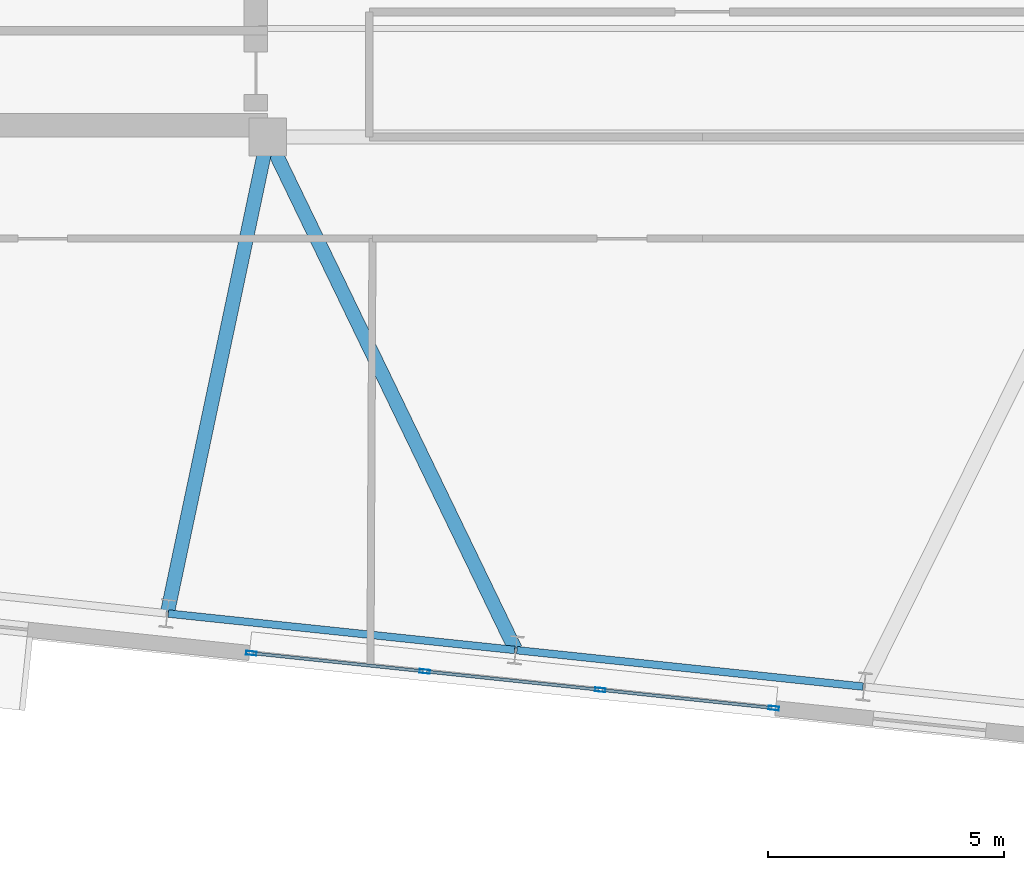
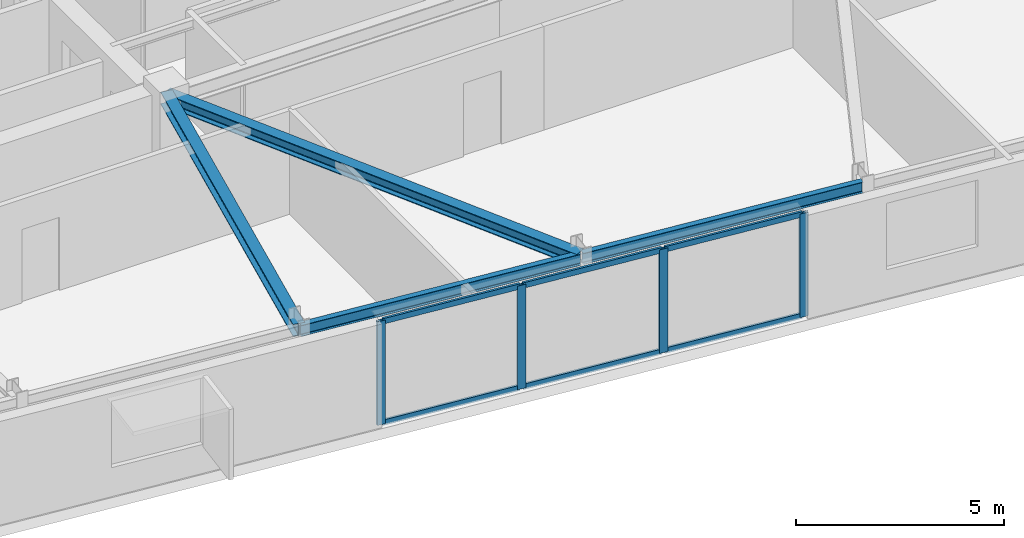
# One storey, part 5 of 13: 10 members, 4 beams, 1 element without a shape of its own.
"""IFC4 building model written with IfcOpenShell, lengths in metres."""

from ifc_helpers import new_model, si_unit, direction, frame, origin, origin_2d, place, context, subcontext, project, spatial, hollow_rectangle, i_section, extrude, material, layer, layer_set, material_profile, profile_set, type_object, element, aggregate, save


model = new_model("IFC4")

# Units and contexts
model_context = context("Model", 3, precision=1e-05, world=origin(), true_north=direction((0.0, 1.0)))
body_context = subcontext(model_context, "Body", "Model", "MODEL_VIEW")
ifc_project = project(units=[si_unit("LENGTHUNIT", "METRE"), si_unit("AREAUNIT", "SQUARE_METRE"), si_unit("VOLUMEUNIT", "CUBIC_METRE"), si_unit("PLANEANGLEUNIT", "RADIAN"), si_unit("MASSUNIT", "GRAM", prefix="KILO")], contexts=[model_context])

# Site, building, storey
site_placement = place(None, origin())
site = spatial("IfcSite", under=ifc_project, at=site_placement, CompositionType="ELEMENT")
building_placement = place(site_placement, origin())
building = spatial("IfcBuilding", under=site, at=building_placement, Name="Qobustan Lattice House", CompositionType="ELEMENT")
storey_placement = place(building_placement, frame((0.0, 0.0, 196.39990234375)))
storey = spatial("IfcBuildingStorey", under=building, at=storey_placement, Name="L55", CompositionType="ELEMENT", Elevation=196.39990234375)

# Beams
ifc_material_1 = material(Name="Steel S355", Category="steel")
ifc_material_profile_1 = material_profile(ifc_material_1, i_section(OverallWidth=0.300048828125, OverallDepth=0.360107421875, WebThickness=0.012451171875, FlangeThickness=0.0224609375, FilletRadius=0.027099609375, at=origin_2d()), Name="HEB360")
ifc_profile_set_1 = profile_set([ifc_material_profile_1], Name="Steel S355")
beam_type_1 = type_object("IfcBeamType", Name="BM-FLG-HEB360", PredefinedType="USERDEFINED", material=ifc_profile_set_1)
beam_1_placement = place(storey_placement, frame((-11.32177734375, -15.658447265625, 2.860107421875), z_axis=(0.206411213198, 0.978465334627, 0.0), x_axis=(-0.978465334627, 0.206411213198, 0.0)))
element("IfcBeam", 1, at=beam_1_placement, inside=storey, type_object=beam_type_1, Name="L55 primary floor girder RAD-S3", ObjectType="GIRDER", PredefinedType="USERDEFINED", context=body_context, shape_type="SweptSolid", body=[
    extrude(i_section(OverallWidth=0.300048828125, OverallDepth=0.360107421875, WebThickness=0.012451171875, FlangeThickness=0.0224609375, FilletRadius=0.027099609375, at=origin_2d()), origin(), (0.0, 0.0, 1.0), 10.2548828125),
])
beam_2_placement = place(storey_placement, frame((-3.9619140625, -16.435791015625, 2.860107421875), z_axis=(-0.435229353302, 0.900319615483, 0.0), x_axis=(-0.900319615483, -0.435229353302, 0.0)))
element("IfcBeam", 2, at=beam_2_placement, inside=storey, type_object=beam_type_1, Name="L55 primary floor girder RAD-S4", ObjectType="GIRDER", PredefinedType="USERDEFINED", context=body_context, shape_type="SweptSolid", body=[
    extrude(i_section(OverallWidth=0.300048828125, OverallDepth=0.360107421875, WebThickness=0.012451171875, FlangeThickness=0.0224609375, FilletRadius=0.027099609375, at=origin_2d()), origin(), (0.0, 0.0, 1.0), 12.010498046875),
])
ifc_material_2 = material(Name="Steel S355", Category="steel")
ifc_material_profile_2 = material_profile(ifc_material_2, i_section(OverallWidth=0.159912109375, OverallDepth=0.330078125, WebThickness=0.007568359375, FlangeThickness=0.011474609375, FilletRadius=0.01806640625, at=origin_2d()), Name="IPE330")
ifc_profile_set_2 = profile_set([ifc_material_profile_2], Name="Steel S355")
beam_type_2 = type_object("IfcBeamType", Name="BM-SPD-IPE330", PredefinedType="SPANDREL", material=ifc_profile_set_2)
beam_3_placement = place(storey_placement, frame((-11.302001953125, -15.685546875, 2.875), z_axis=(0.994521784746, -0.104529515765, 0.0), x_axis=(0.104529515765, 0.994521784746, 0.0)))
element("IfcBeam", 3, at=beam_3_placement, inside=storey, type_object=beam_type_2, Name="L55 perimeter spandrel S3-S4", PredefinedType="SPANDREL", context=body_context, shape_type="SweptSolid", body=[
    extrude(i_section(OverallWidth=0.159912109375, OverallDepth=0.330078125, WebThickness=0.007568359375, FlangeThickness=0.011474609375, FilletRadius=0.01806640625, at=origin_2d()), origin(), (0.0, 0.0, 1.0), 7.366455078125),
])
beam_4_placement = place(storey_placement, frame((-3.926025390625, -16.460693359375, 2.875), z_axis=(0.99451870122, -0.10455884909, 0.0), x_axis=(0.10455884909, 0.99451870122, 0.0)))
element("IfcBeam", 4, at=beam_4_placement, inside=storey, type_object=beam_type_2, Name="L55 perimeter spandrel S4-S5", PredefinedType="SPANDREL", context=body_context, shape_type="SweptSolid", body=[
    extrude(i_section(OverallWidth=0.159912109375, OverallDepth=0.330078125, WebThickness=0.007568359375, FlangeThickness=0.011474609375, FilletRadius=0.01806640625, at=origin_2d()), origin(), (0.0, 0.0, 1.0), 7.36669921875),
])

# Curtain wall, members
ifc_material_3 = material(Name="Anodised aluminium and low-E glazing", Category="aluminium")
ifc_layer = layer(ifc_material_3, 0.219970703125)
ifc_layer_set = layer_set([ifc_layer], Name="Anodised aluminium and low-E glazing")
curtain_wall_type = type_object("IfcCurtainWallType", Name="CW-IWN-01", PredefinedType="USERDEFINED", material=ifc_layer_set)
curtain_wall_placement = place(storey_placement, origin())
curtain_wall = element("IfcCurtainWall", 5, at=curtain_wall_placement, inside=storey, type_object=curtain_wall_type, Name="L55 IWAN-4 walnut-lined iwan curtain wall", ObjectType="CURTAIN WALL", PredefinedType="USERDEFINED")
ifc_material_4 = material(Name="Anodised aluminium EN AW-6063 T6", Category="aluminium")
ifc_material_profile_3 = material_profile(ifc_material_4, hollow_rectangle(XDim=0.080078125, YDim=0.219970703125, WallThickness=0.0048828125, at=origin_2d()), Name="CWM-220x80")
ifc_profile_set_3 = profile_set([ifc_material_profile_3], Name="Anodised aluminium EN AW-6063 T6")
member_type_1 = type_object("IfcMemberType", Name="CWM-MAIN-220", PredefinedType="MULLION", material=ifc_profile_set_3)
member_1_placement = place(storey_placement, frame((1.5107421875, -17.68603515625, 0.0), z_axis=(0.0, 0.0, 1.0), x_axis=(-0.104536054872, -0.994521097429, 0.0)))
member_1 = element("IfcMember", 6, at=member_1_placement, type_object=member_type_1, Name="CW-IW mullion 1", PredefinedType="MULLION", context=body_context, shape_type="SweptSolid", body=[
    extrude(hollow_rectangle(XDim=0.080078125, YDim=0.219970703125, WallThickness=0.0048828125, at=origin_2d()), origin(), (0.0, 0.0, 1.0), 3.0400390625),
])
member_2_placement = place(storey_placement, frame((-2.162353515625, -17.2998046875, 0.0), z_axis=(0.0, 0.0, 1.0), x_axis=(-0.104536054872, -0.994521097429, 0.0)))
member_2 = element("IfcMember", 7, at=member_2_placement, type_object=member_type_1, Name="CW-IW mullion 2", PredefinedType="MULLION", context=body_context, shape_type="SweptSolid", body=[
    extrude(hollow_rectangle(XDim=0.080078125, YDim=0.219970703125, WallThickness=0.0048828125, at=origin_2d()), origin(), (0.0, 0.0, 1.0), 3.0400390625),
])
member_3_placement = place(storey_placement, frame((-5.875244140625, -16.90966796875, 0.0), z_axis=(0.0, 0.0, 1.0), x_axis=(-0.104536054872, -0.994521097429, 0.0)))
member_3 = element("IfcMember", 8, at=member_3_placement, type_object=member_type_1, Name="CW-IW mullion 3", PredefinedType="MULLION", context=body_context, shape_type="SweptSolid", body=[
    extrude(hollow_rectangle(XDim=0.080078125, YDim=0.219970703125, WallThickness=0.0048828125, at=origin_2d()), origin(), (0.0, 0.0, 1.0), 3.0400390625),
])
member_4_placement = place(storey_placement, frame((-9.54833984375, -16.5234375, 0.0), z_axis=(0.0, 0.0, 1.0), x_axis=(-0.104536054872, -0.994521097429, 0.0)))
member_4 = element("IfcMember", 9, at=member_4_placement, type_object=member_type_1, Name="CW-IW mullion 4", PredefinedType="MULLION", context=body_context, shape_type="SweptSolid", body=[
    extrude(hollow_rectangle(XDim=0.080078125, YDim=0.219970703125, WallThickness=0.0048828125, at=origin_2d()), origin(), (0.0, 0.0, 1.0), 3.0400390625),
])
ifc_material_5 = material(Name="Anodised aluminium EN AW-6063 T6", Category="aluminium")
ifc_material_profile_4 = material_profile(ifc_material_5, hollow_rectangle(XDim=0.06494140625, YDim=0.159912109375, WallThickness=0.00390625, at=origin_2d()), Name="CWT-160x65")
ifc_profile_set_4 = profile_set([ifc_material_profile_4], Name="Anodised aluminium EN AW-6063 T6")
member_type_2 = type_object("IfcMemberType", Name="CWT-HOR-160", PredefinedType="USERDEFINED", material=ifc_profile_set_4)
member_5_placement = place(storey_placement, frame((1.470947265625, -17.681640625, 0.03271484375), z_axis=(-0.99452210074, 0.104526509263, 0.0), x_axis=(-0.104526509263, -0.99452210074, 0.0)))
member_5 = element("IfcMember", 10, at=member_5_placement, type_object=member_type_2, Name="CW-IW transom 1.1", ObjectType="TRANSOM", PredefinedType="USERDEFINED", context=body_context, shape_type="SweptSolid", body=[
    extrude(hollow_rectangle(XDim=0.06494140625, YDim=0.159912109375, WallThickness=0.00390625, at=origin_2d()), origin(), (0.0, 0.0, 1.0), 3.61328125),
])
member_6_placement = place(storey_placement, frame((1.470947265625, -17.681640625, 3.007568359375), z_axis=(-0.99452210074, 0.104526509263, 0.0), x_axis=(-0.104526509263, -0.99452210074, 0.0)))
member_6 = element("IfcMember", 11, at=member_6_placement, type_object=member_type_2, Name="CW-IW transom 1.2", ObjectType="TRANSOM", PredefinedType="USERDEFINED", context=body_context, shape_type="SweptSolid", body=[
    extrude(hollow_rectangle(XDim=0.06494140625, YDim=0.159912109375, WallThickness=0.00390625, at=origin_2d()), origin(), (0.0, 0.0, 1.0), 3.61328125),
])
member_7_placement = place(storey_placement, frame((-2.2021484375, -17.295654296875, 0.03271484375), z_axis=(-0.994523015384, 0.104517806482, 0.0), x_axis=(-0.104517806482, -0.994523015384, 0.0)))
member_7 = element("IfcMember", 12, at=member_7_placement, type_object=member_type_2, Name="CW-IW transom 2.1", ObjectType="TRANSOM", PredefinedType="USERDEFINED", context=body_context, shape_type="SweptSolid", body=[
    extrude(hollow_rectangle(XDim=0.06494140625, YDim=0.159912109375, WallThickness=0.00390625, at=origin_2d()), origin(), (0.0, 0.0, 1.0), 3.6533203125),
])
member_8_placement = place(storey_placement, frame((-2.2021484375, -17.295654296875, 3.007568359375), z_axis=(-0.994523015384, 0.104517806482, 0.0), x_axis=(-0.104517806482, -0.994523015384, 0.0)))
member_8 = element("IfcMember", 13, at=member_8_placement, type_object=member_type_2, Name="CW-IW transom 2.2", ObjectType="TRANSOM", PredefinedType="USERDEFINED", context=body_context, shape_type="SweptSolid", body=[
    extrude(hollow_rectangle(XDim=0.06494140625, YDim=0.159912109375, WallThickness=0.00390625, at=origin_2d()), origin(), (0.0, 0.0, 1.0), 3.6533203125),
])
member_9_placement = place(storey_placement, frame((-5.9150390625, -16.9052734375, 0.03271484375), z_axis=(-0.99452210074, 0.104526509263, 0.0), x_axis=(-0.104526509263, -0.99452210074, 0.0)))
member_9 = element("IfcMember", 14, at=member_9_placement, type_object=member_type_2, Name="CW-IW transom 3.1", ObjectType="TRANSOM", PredefinedType="USERDEFINED", context=body_context, shape_type="SweptSolid", body=[
    extrude(hollow_rectangle(XDim=0.06494140625, YDim=0.159912109375, WallThickness=0.00390625, at=origin_2d()), origin(), (0.0, 0.0, 1.0), 3.61328125),
])
member_10_placement = place(storey_placement, frame((-5.9150390625, -16.9052734375, 3.007568359375), z_axis=(-0.99452210074, 0.104526509263, 0.0), x_axis=(-0.104526509263, -0.99452210074, 0.0)))
member_10 = element("IfcMember", 15, at=member_10_placement, type_object=member_type_2, Name="CW-IW transom 3.2", ObjectType="TRANSOM", PredefinedType="USERDEFINED", context=body_context, shape_type="SweptSolid", body=[
    extrude(hollow_rectangle(XDim=0.06494140625, YDim=0.159912109375, WallThickness=0.00390625, at=origin_2d()), origin(), (0.0, 0.0, 1.0), 3.61328125),
])
aggregate(curtain_wall, [member_1, member_2, member_3, member_4, member_5, member_6, member_7, member_8, member_9, member_10])

save(model, "model.ifc")
